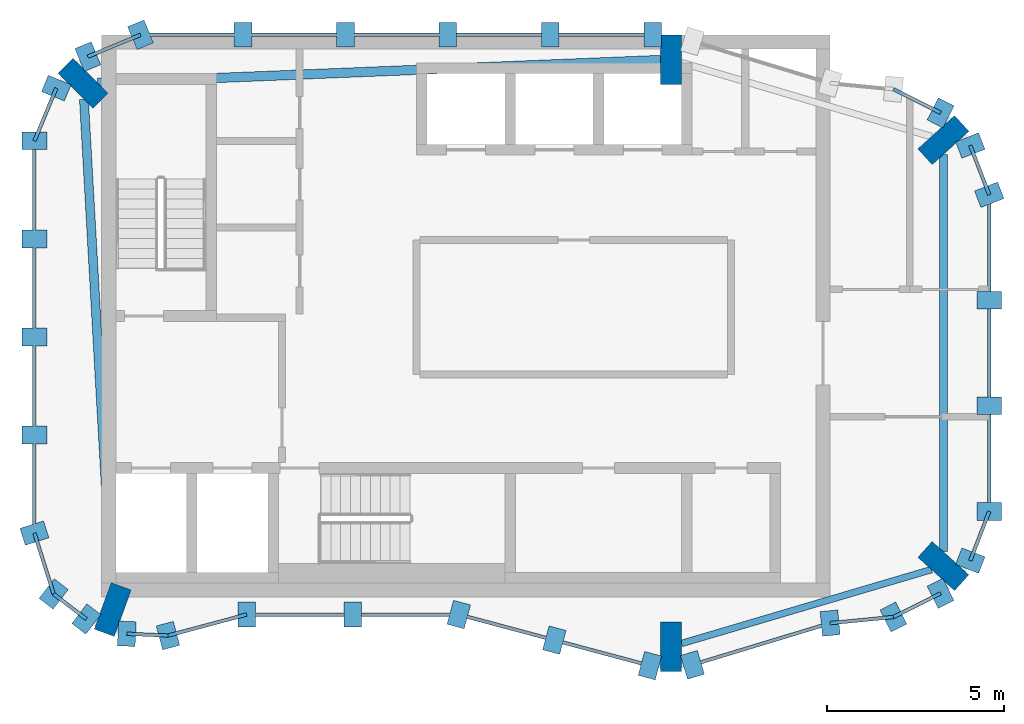
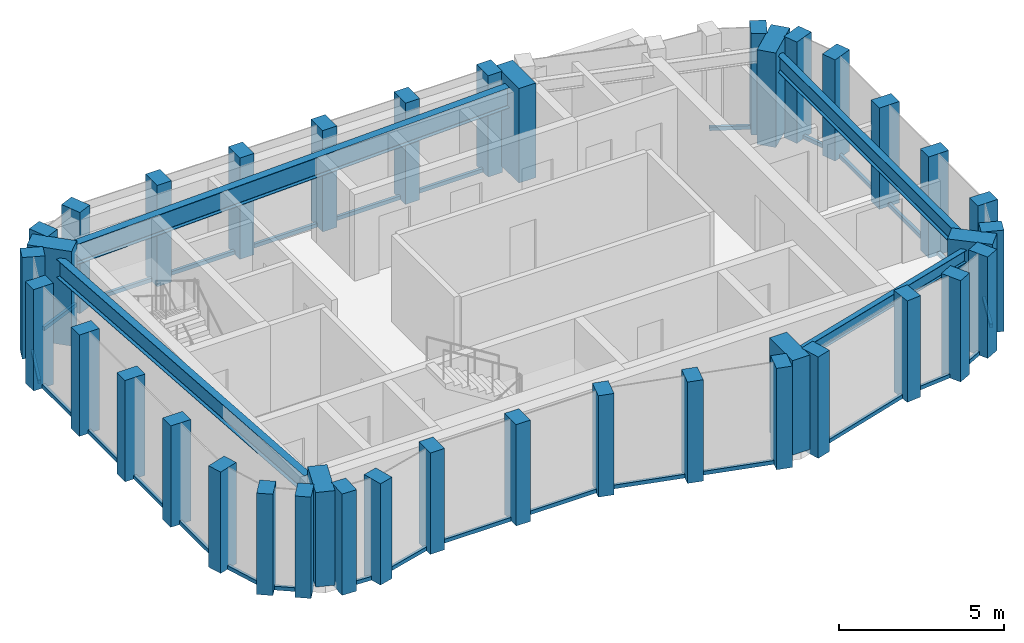
# One storey, part 1 of 5: 50 members, 6 columns, 4 beams, 17 elements without a shape of their own.
"""IFC4 building model written with IfcOpenShell, lengths in metres."""

from ifc_helpers import new_model, si_unit, direction, frame, origin, origin_2d, place, context, subcontext, project, spatial, rectangle, i_section, extrude, material, layer, layer_set, material_profile, profile_set, type_object, element, aggregate, save


model = new_model("IFC4")

# Units and contexts
model_context = context("Model", 3, precision=1e-05, world=origin(), true_north=direction((0.0, 1.0)))
body_context = subcontext(model_context, "Body", "Model", "MODEL_VIEW")
ifc_project = project(units=[si_unit("LENGTHUNIT", "METRE"), si_unit("AREAUNIT", "SQUARE_METRE"), si_unit("VOLUMEUNIT", "CUBIC_METRE"), si_unit("PLANEANGLEUNIT", "RADIAN"), si_unit("MASSUNIT", "GRAM", prefix="KILO")], contexts=[model_context])

# Site, building, storey
site_placement = place(None, origin())
site = spatial("IfcSite", under=ifc_project, at=site_placement, CompositionType="ELEMENT")
building_placement = place(site_placement, origin())
building = spatial("IfcBuilding", under=site, at=building_placement, Name="Plateau Cross Towers", CompositionType="ELEMENT")
storey_placement = place(building_placement, frame((0.0, 0.0, 308.89990234375)))
storey = spatial("IfcBuildingStorey", under=building, at=storey_placement, Name="L82 Crown 3", CompositionType="ELEMENT", Elevation=308.89990234375)

# Columns
ifc_material_1 = material(Name="Concrete C60/75", Category="concrete")
ifc_material_profile_1 = material_profile(ifc_material_1, rectangle(XDim=0.60009765625, YDim=1.39990234375, at=origin_2d()), Name="RC 600x1400")
ifc_profile_set_1 = profile_set([ifc_material_profile_1], Name="Concrete C60/75")
column_type = type_object("IfcColumnType", Name="Fin pier column RC 600x1400", PredefinedType="COLUMN", material=ifc_profile_set_1)
for number, where, z_axis, x_axis, name in (
    (1, (18.0, 0.699951171875, 0.0), (0.0, 0.0, 1.0), (1.0, 0.0, 0.0), "PR1 L82 Crown 3"),
    (2, (25.703125, 2.97705078125, 0.0), (0.0, 0.0, 1.0), (0.672084253376, 0.740474683135, 0.0), "PR19 L82 Crown 3"),
    (3, (25.703125, 15.02294921875, 0.0), (0.0, 0.0, 1.0), (-0.672084253376, 0.740474683135, 0.0), "PR20 L82 Crown 3"),
    (4, (18.0, 17.300048828125, 0.0), (0.0, 0.0, 1.0), (1.0, 0.0, 0.0), "PR13 L82 Crown 3"),
    (5, (1.37353515625, 16.62646484375, 0.0), (0.0, 0.0, 1.0), (0.707106781187, 0.707106781187, 0.0), "PR14 L82 Crown 3"),
    (6, (2.213134765625, 1.748046875, 0.0), (0.0, 0.0, 1.0), (-0.939664280925, 0.342097996418, 0.0), "PR12 L82 Crown 3"),
):
    element("IfcColumn", number, at=place(storey_placement, frame(where, z_axis=z_axis, x_axis=x_axis)), inside=storey, type_object=column_type, Name=name, PredefinedType="COLUMN", context=body_context, shape_type="SweptSolid", body=[
        extrude(rectangle(XDim=0.60009765625, YDim=1.39990234375, at=origin_2d()), origin(), (0.0, 0.0, 1.0), 3.5),
    ])

# Beams
ifc_material_2 = material(Name="Steel S355", Category="steel")
ifc_material_profile_2 = material_profile(ifc_material_2, i_section(OverallWidth=0.18994140625, OverallDepth=0.453369140625, WebThickness=0.008544921875, FlangeThickness=0.0126953125, FilletRadius=0.01025390625, at=origin_2d()), Name="UB 457x191x67")
ifc_profile_set_2 = profile_set([ifc_material_profile_2], Name="Steel S355")
beam_type_1 = type_object("IfcBeamType", Name="Crown ring beam UB 457x191x67", PredefinedType="BEAM", material=ifc_profile_set_2)
beam_1_placement = place(storey_placement, frame((18.300048828125, 0.78857421875, 2.973388671875), z_axis=(0.958969404993, 0.283509577064, 0.0), x_axis=(-0.283509577064, 0.958969404993, 0.0)))
element("IfcBeam", 7, at=beam_1_placement, inside=storey, type_object=beam_type_1, Name="CRB-L82 Crown 3-01", PredefinedType="BEAM", context=body_context, shape_type="SweptSolid", body=[
    extrude(i_section(OverallWidth=0.18994140625, OverallDepth=0.453369140625, WebThickness=0.008544921875, FlangeThickness=0.0126953125, FilletRadius=0.01025390625, at=origin_2d()), origin(), (0.0, 0.0, 1.0), 7.36865234375),
])
ifc_material_profile_3 = material_profile(ifc_material_2, i_section(OverallWidth=0.228271484375, OverallDepth=0.607666015625, WebThickness=0.010986328125, FlangeThickness=0.017333984375, FilletRadius=0.0126953125, at=origin_2d()), Name="UB 610x229x113")
ifc_profile_set_3 = profile_set([ifc_material_profile_3], Name="Steel S355")
beam_type_2 = type_object("IfcBeamType", Name="Crown ring beam UB 610x229x113", PredefinedType="BEAM", material=ifc_profile_set_3)
beam_2_placement = place(storey_placement, frame((25.703125, 3.38232421875, 2.896240234375), z_axis=(0.0, 1.0, 0.0), x_axis=(-1.0, 0.0, 0.0)))
element("IfcBeam", 8, at=beam_2_placement, inside=storey, type_object=beam_type_2, Name="CRB-L82 Crown 3-02", PredefinedType="BEAM", context=body_context, shape_type="SweptSolid", body=[
    extrude(i_section(OverallWidth=0.228271484375, OverallDepth=0.607666015625, WebThickness=0.010986328125, FlangeThickness=0.017333984375, FilletRadius=0.0126953125, at=origin_2d()), origin(), (0.0, 0.0, 1.0), 11.2353515625),
])
ifc_material_profile_4 = material_profile(ifc_material_2, i_section(OverallWidth=0.2529296875, OverallDepth=0.677978515625, WebThickness=0.01171875, FlangeThickness=0.01611328125, FilletRadius=0.01513671875, at=origin_2d()), Name="UB 686x254x125")
ifc_profile_set_4 = profile_set([ifc_material_profile_4], Name="Steel S355")
beam_type_3 = type_object("IfcBeamType", Name="Crown ring beam UB 686x254x125", PredefinedType="BEAM", material=ifc_profile_set_4)
beam_3_placement = place(storey_placement, frame((1.39892578125, 16.1767578125, 2.861083984375), z_axis=(0.056348976318, -0.998411134187, 0.0), x_axis=(0.998411134187, 0.056348976318, 0.0)))
element("IfcBeam", 9, at=beam_3_placement, inside=storey, type_object=beam_type_3, Name="CRB-L82 Crown 3-05", PredefinedType="BEAM", context=body_context, shape_type="SweptSolid", body=[
    extrude(i_section(OverallWidth=0.2529296875, OverallDepth=0.677978515625, WebThickness=0.01171875, FlangeThickness=0.01611328125, FilletRadius=0.01513671875, at=origin_2d()), origin(), (0.0, 0.0, 1.0), 13.691162109375),
])
ifc_material_profile_5 = material_profile(ifc_material_2, i_section(OverallWidth=0.26513671875, OverallDepth=0.75390625, WebThickness=0.0126953125, FlangeThickness=0.017578125, FilletRadius=0.0166015625, at=origin_2d()), Name="UB 762x267x147")
ifc_profile_set_5 = profile_set([ifc_material_profile_5], Name="Steel S355")
beam_type_4 = type_object("IfcBeamType", Name="Crown ring beam UB 762x267x147", PredefinedType="BEAM", material=ifc_profile_set_5)
beam_4_placement = place(storey_placement, frame((17.699951171875, 17.287841796875, 2.822998046875), z_axis=(-0.999180065047, -0.040487005488, 0.0), x_axis=(0.040487005488, -0.999180065047, 0.0)))
element("IfcBeam", 10, at=beam_4_placement, inside=storey, type_object=beam_type_4, Name="CRB-L82 Crown 3-04", PredefinedType="BEAM", context=body_context, shape_type="SweptSolid", body=[
    extrude(i_section(OverallWidth=0.26513671875, OverallDepth=0.75390625, WebThickness=0.0126953125, FlangeThickness=0.017578125, FilletRadius=0.0166015625, at=origin_2d()), origin(), (0.0, 0.0, 1.0), 15.931640625),
])

# Curtain wall, member
ifc_material_3 = material(Name="Dark low-iron glass", Category="glass")
ifc_layer = layer(ifc_material_3, 0.800048828125)
ifc_layer_set = layer_set([ifc_layer], Name="Dark low-iron glass")
curtain_wall_type = type_object("IfcCurtainWallType", Name="Curtain wall sky lounge CW-D", PredefinedType="NOTDEFINED", material=ifc_layer_set)
curtain_wall_1_placement = place(storey_placement, origin())
curtain_wall_1 = element("IfcCurtainWall", 11, at=curtain_wall_1_placement, inside=storey, type_object=curtain_wall_type, Name="ENV/A/L82 Crown 3/A38_10", PredefinedType="NOTDEFINED")
ifc_material_4 = material(Name="Black anodised aluminium", Category="aluminium")
ifc_material_profile_6 = material_profile(ifc_material_4, rectangle(XDim=0.5, YDim=0.699951171875, at=origin_2d()), Name="MULLION 500x700")
ifc_profile_set_6 = profile_set([ifc_material_profile_6], Name="Black anodised aluminium")
member_type_1 = type_object("IfcMemberType", Name="Mullion 500x700 sky lounge", PredefinedType="MULLION", material=ifc_profile_set_6)
member_1_placement = place(storey_placement, frame((3.776123046875, 1.01123046875, -0.25), z_axis=(0.0, 0.0, 1.0), x_axis=(0.965957962328, 0.258699081978, 0.0)))
member_1 = element("IfcMember", 12, at=member_1_placement, type_object=member_type_1, Name="CW-D mullion 1", PredefinedType="MULLION", context=body_context, shape_type="SweptSolid", body=[
    extrude(rectangle(XDim=0.5, YDim=0.699951171875, at=origin_2d()), origin(), (0.0, 0.0, 1.0), 3.75),
])

# Curtain wall, members
curtain_wall_2_placement = place(storey_placement, origin())
curtain_wall_2 = element("IfcCurtainWall", 13, at=curtain_wall_2_placement, inside=storey, type_object=curtain_wall_type, Name="ENV/A/L82 Crown 3/A60_16", PredefinedType="NOTDEFINED")
member_2_placement = place(storey_placement, frame((6.0, 1.60693359375, -0.25), z_axis=(0.0, 0.0, 1.0), x_axis=(1.0, 0.0, 0.0)))
member_2 = element("IfcMember", 14, at=member_2_placement, type_object=member_type_1, Name="CW-D mullion 1", PredefinedType="MULLION", context=body_context, shape_type="SweptSolid", body=[
    extrude(rectangle(XDim=0.5, YDim=0.699951171875, at=origin_2d()), origin(), (0.0, 0.0, 1.0), 3.75),
])
member_3_placement = place(storey_placement, frame((9.0, 1.60693359375, -0.25), z_axis=(0.0, 0.0, 1.0), x_axis=(1.0, 0.0, 0.0)))
member_3 = element("IfcMember", 15, at=member_3_placement, type_object=member_type_1, Name="CW-D mullion 2", PredefinedType="MULLION", context=body_context, shape_type="SweptSolid", body=[
    extrude(rectangle(XDim=0.5, YDim=0.699951171875, at=origin_2d()), origin(), (0.0, 0.0, 1.0), 3.75),
])

curtain_wall_3_placement = place(storey_placement, origin())
curtain_wall_3 = element("IfcCurtainWall", 16, at=curtain_wall_3_placement, inside=storey, type_object=curtain_wall_type, Name="ENV/A/L82 Crown 3/A120_16", PredefinedType="NOTDEFINED")
member_4_placement = place(storey_placement, frame((12.0, 1.60693359375, -0.25), z_axis=(0.0, 0.0, 1.0), x_axis=(0.965957983404, -0.258699003279, 0.0)))
member_4 = element("IfcMember", 17, at=member_4_placement, type_object=member_type_1, Name="CW-D mullion 1", PredefinedType="MULLION", context=body_context, shape_type="SweptSolid", body=[
    extrude(rectangle(XDim=0.5, YDim=0.699951171875, at=origin_2d()), origin(), (0.0, 0.0, 1.0), 3.75),
])
member_5_placement = place(storey_placement, frame((14.70166015625, 0.88330078125, -0.25), z_axis=(0.0, 0.0, 1.0), x_axis=(0.965957983404, -0.258699003279, 0.0)))
member_5 = element("IfcMember", 18, at=member_5_placement, type_object=member_type_1, Name="CW-D mullion 2", PredefinedType="MULLION", context=body_context, shape_type="SweptSolid", body=[
    extrude(rectangle(XDim=0.5, YDim=0.699951171875, at=origin_2d()), origin(), (0.0, 0.0, 1.0), 3.75),
])
member_6_placement = place(storey_placement, frame((17.403076171875, 0.159912109375, -0.25), z_axis=(0.0, 0.0, 1.0), x_axis=(0.965957983404, -0.258699003279, 0.0)))
member_6 = element("IfcMember", 19, at=member_6_placement, type_object=member_type_1, Name="CW-D mullion 3", PredefinedType="MULLION", context=body_context, shape_type="SweptSolid", body=[
    extrude(rectangle(XDim=0.5, YDim=0.699951171875, at=origin_2d()), origin(), (0.0, 0.0, 1.0), 3.75),
])

# Curtain wall, member
curtain_wall_4_placement = place(storey_placement, origin())
curtain_wall_4 = element("IfcCurtainWall", 20, at=curtain_wall_4_placement, inside=storey, type_object=curtain_wall_type, Name="ENV/A/L82 Crown 3/A186_2", PredefinedType="NOTDEFINED")
member_7_placement = place(storey_placement, frame((18.60546875, 0.183349609375, -0.25), z_axis=(0.0, 0.0, 1.0), x_axis=(0.957048328724, 0.289928433386, 0.0)))
member_7 = element("IfcMember", 21, at=member_7_placement, type_object=member_type_1, Name="CW-D mullion 1", PredefinedType="MULLION", context=body_context, shape_type="SweptSolid", body=[
    extrude(rectangle(XDim=0.5, YDim=0.699951171875, at=origin_2d()), origin(), (0.0, 0.0, 1.0), 3.75),
])

curtain_wall_5_placement = place(storey_placement, origin())
curtain_wall_5 = element("IfcCurtainWall", 22, at=curtain_wall_5_placement, inside=storey, type_object=curtain_wall_type, Name="ENV/A/L82 Crown 3/A225_14", PredefinedType="NOTDEFINED")
member_8_placement = place(storey_placement, frame((22.5, 1.36328125, -0.25), z_axis=(0.0, 0.0, 1.0), x_axis=(0.995322680406, 0.096606220658, 0.0)))
member_8 = element("IfcMember", 23, at=member_8_placement, type_object=member_type_1, Name="CW-D mullion 1", PredefinedType="MULLION", context=body_context, shape_type="SweptSolid", body=[
    extrude(rectangle(XDim=0.5, YDim=0.699951171875, at=origin_2d()), origin(), (0.0, 0.0, 1.0), 3.75),
])

# Curtain wall, members
curtain_wall_6_placement = place(storey_placement, origin())
curtain_wall_6 = element("IfcCurtainWall", 24, at=curtain_wall_6_placement, inside=storey, type_object=curtain_wall_type, Name="ENV/A/L82 Crown 3/A243_15", PredefinedType="NOTDEFINED")
member_9_placement = place(storey_placement, frame((24.289794921875, 1.536865234375, -0.25), z_axis=(0.0, 0.0, 1.0), x_axis=(0.893702121293, 0.448660805505, 0.0)))
member_9 = element("IfcMember", 25, at=member_9_placement, type_object=member_type_1, Name="CW-D mullion 1", PredefinedType="MULLION", context=body_context, shape_type="SweptSolid", body=[
    extrude(rectangle(XDim=0.5, YDim=0.699951171875, at=origin_2d()), origin(), (0.0, 0.0, 1.0), 3.75),
])
member_10_placement = place(storey_placement, frame((25.623779296875, 2.20654296875, -0.25), z_axis=(0.0, 0.0, 1.0), x_axis=(0.893702121293, 0.448660805505, 0.0)))
member_10 = element("IfcMember", 26, at=member_10_placement, type_object=member_type_1, Name="CW-D mullion 2", PredefinedType="MULLION", context=body_context, shape_type="SweptSolid", body=[
    extrude(rectangle(XDim=0.5, YDim=0.699951171875, at=origin_2d()), origin(), (0.0, 0.0, 1.0), 3.75),
])

# Curtain wall, member
curtain_wall_7_placement = place(storey_placement, origin())
curtain_wall_7 = element("IfcCurtainWall", 27, at=curtain_wall_7_placement, inside=storey, type_object=curtain_wall_type, Name="ENV/A/L82 Crown 3/A265_31", PredefinedType="NOTDEFINED")
member_11_placement = place(storey_placement, frame((26.46240234375, 3.130615234375, -0.25), z_axis=(0.0, 0.0, 1.0), x_axis=(0.360225826244, 0.932865131789, 0.0)))
member_11 = element("IfcMember", 28, at=member_11_placement, type_object=member_type_1, Name="CW-D mullion 1", PredefinedType="MULLION", context=body_context, shape_type="SweptSolid", body=[
    extrude(rectangle(XDim=0.5, YDim=0.699951171875, at=origin_2d()), origin(), (0.0, 0.0, 1.0), 3.75),
])

# Curtain wall, members
curtain_wall_8_placement = place(storey_placement, origin())
curtain_wall_8 = element("IfcCurtainWall", 29, at=curtain_wall_8_placement, inside=storey, type_object=curtain_wall_type, Name="ENV/A/L82 Crown 3/A270_45", PredefinedType="NOTDEFINED")
member_12_placement = place(storey_placement, frame((27.0, 4.52294921875, -0.25), z_axis=(0.0, 0.0, 1.0), x_axis=(0.0, 1.0, 0.0)))
member_12 = element("IfcMember", 30, at=member_12_placement, type_object=member_type_1, Name="CW-D mullion 1", PredefinedType="MULLION", context=body_context, shape_type="SweptSolid", body=[
    extrude(rectangle(XDim=0.5, YDim=0.699951171875, at=origin_2d()), origin(), (0.0, 0.0, 1.0), 3.75),
])
member_13_placement = place(storey_placement, frame((27.0, 7.507568359375, -0.25), z_axis=(0.0, 0.0, 1.0), x_axis=(0.0, 1.0, 0.0)))
member_13 = element("IfcMember", 31, at=member_13_placement, type_object=member_type_1, Name="CW-D mullion 2", PredefinedType="MULLION", context=body_context, shape_type="SweptSolid", body=[
    extrude(rectangle(XDim=0.5, YDim=0.699951171875, at=origin_2d()), origin(), (0.0, 0.0, 1.0), 3.75),
])
member_14_placement = place(storey_placement, frame((27.0, 10.492431640625, -0.25), z_axis=(0.0, 0.0, 1.0), x_axis=(0.0, 1.0, 0.0)))
member_14 = element("IfcMember", 32, at=member_14_placement, type_object=member_type_1, Name="CW-D mullion 3", PredefinedType="MULLION", context=body_context, shape_type="SweptSolid", body=[
    extrude(rectangle(XDim=0.5, YDim=0.699951171875, at=origin_2d()), origin(), (0.0, 0.0, 1.0), 3.75),
])

curtain_wall_9_placement = place(storey_placement, origin())
curtain_wall_9 = element("IfcCurtainWall", 33, at=curtain_wall_9_placement, inside=storey, type_object=curtain_wall_type, Name="ENV/A/L82 Crown 3/A270_135", PredefinedType="NOTDEFINED")
member_15_placement = place(storey_placement, frame((27.0, 13.47705078125, -0.25), z_axis=(0.0, 0.0, 1.0), x_axis=(-0.360225826244, 0.932865131789, 0.0)))
member_15 = element("IfcMember", 34, at=member_15_placement, type_object=member_type_1, Name="CW-D mullion 1", PredefinedType="MULLION", context=body_context, shape_type="SweptSolid", body=[
    extrude(rectangle(XDim=0.5, YDim=0.699951171875, at=origin_2d()), origin(), (0.0, 0.0, 1.0), 3.75),
])
member_16_placement = place(storey_placement, frame((26.46240234375, 14.869384765625, -0.25), z_axis=(0.0, 0.0, 1.0), x_axis=(-0.360225826244, 0.932865131789, 0.0)))
member_16 = element("IfcMember", 35, at=member_16_placement, type_object=member_type_1, Name="CW-D mullion 2", PredefinedType="MULLION", context=body_context, shape_type="SweptSolid", body=[
    extrude(rectangle(XDim=0.5, YDim=0.699951171875, at=origin_2d()), origin(), (0.0, 0.0, 1.0), 3.75),
])

# Curtain wall, member
curtain_wall_10_placement = place(storey_placement, origin())
curtain_wall_10 = element("IfcCurtainWall", 36, at=curtain_wall_10_placement, inside=storey, type_object=curtain_wall_type, Name="ENV/A/L82 Crown 3/A256_158", PredefinedType="NOTDEFINED")
member_17_placement = place(storey_placement, frame((25.623779296875, 15.79345703125, -0.25), z_axis=(0.0, 0.0, 1.0), x_axis=(-0.893702121293, 0.448660805505, 0.0)))
member_17 = element("IfcMember", 37, at=member_17_placement, type_object=member_type_1, Name="CW-D mullion 1", PredefinedType="MULLION", context=body_context, shape_type="SweptSolid", body=[
    extrude(rectangle(XDim=0.5, YDim=0.699951171875, at=origin_2d()), origin(), (0.0, 0.0, 1.0), 3.75),
])

# Curtain wall, members
curtain_wall_11_placement = place(storey_placement, origin())
curtain_wall_11 = element("IfcCurtainWall", 38, at=curtain_wall_11_placement, inside=storey, type_object=curtain_wall_type, Name="ENV/A/L82 Crown 3/A175_180", PredefinedType="NOTDEFINED")
member_18_placement = place(storey_placement, frame((17.485107421875, 18.0, -0.25), z_axis=(0.0, 0.0, 1.0), x_axis=(-1.0, 0.0, 0.0)))
member_18 = element("IfcMember", 39, at=member_18_placement, type_object=member_type_1, Name="CW-D mullion 1", PredefinedType="MULLION", context=body_context, shape_type="SweptSolid", body=[
    extrude(rectangle(XDim=0.5, YDim=0.699951171875, at=origin_2d()), origin(), (0.0, 0.0, 1.0), 3.75),
])
member_19_placement = place(storey_placement, frame((14.587890625, 18.0, -0.25), z_axis=(0.0, 0.0, 1.0), x_axis=(-1.0, 0.0, 0.0)))
member_19 = element("IfcMember", 40, at=member_19_placement, type_object=member_type_1, Name="CW-D mullion 2", PredefinedType="MULLION", context=body_context, shape_type="SweptSolid", body=[
    extrude(rectangle(XDim=0.5, YDim=0.699951171875, at=origin_2d()), origin(), (0.0, 0.0, 1.0), 3.75),
])
member_20_placement = place(storey_placement, frame((11.69091796875, 18.0, -0.25), z_axis=(0.0, 0.0, 1.0), x_axis=(-1.0, 0.0, 0.0)))
member_20 = element("IfcMember", 41, at=member_20_placement, type_object=member_type_1, Name="CW-D mullion 3", PredefinedType="MULLION", context=body_context, shape_type="SweptSolid", body=[
    extrude(rectangle(XDim=0.5, YDim=0.699951171875, at=origin_2d()), origin(), (0.0, 0.0, 1.0), 3.75),
])
member_21_placement = place(storey_placement, frame((8.7939453125, 18.0, -0.25), z_axis=(0.0, 0.0, 1.0), x_axis=(-1.0, 0.0, 0.0)))
member_21 = element("IfcMember", 42, at=member_21_placement, type_object=member_type_1, Name="CW-D mullion 4", PredefinedType="MULLION", context=body_context, shape_type="SweptSolid", body=[
    extrude(rectangle(XDim=0.5, YDim=0.699951171875, at=origin_2d()), origin(), (0.0, 0.0, 1.0), 3.75),
])
member_22_placement = place(storey_placement, frame((5.89697265625, 18.0, -0.25), z_axis=(0.0, 0.0, 1.0), x_axis=(-1.0, 0.0, 0.0)))
member_22 = element("IfcMember", 43, at=member_22_placement, type_object=member_type_1, Name="CW-D mullion 5", PredefinedType="MULLION", context=body_context, shape_type="SweptSolid", body=[
    extrude(rectangle(XDim=0.5, YDim=0.699951171875, at=origin_2d()), origin(), (0.0, 0.0, 1.0), 3.75),
])

curtain_wall_12_placement = place(storey_placement, origin())
curtain_wall_12 = element("IfcCurtainWall", 44, at=curtain_wall_12_placement, inside=storey, type_object=curtain_wall_type, Name="ENV/A/L82 Crown 3/A30_180", PredefinedType="NOTDEFINED")
member_23_placement = place(storey_placement, frame((3.0, 18.0, -0.25), z_axis=(0.0, 0.0, 1.0), x_axis=(-0.923879457699, -0.382683612978, 0.0)))
member_23 = element("IfcMember", 45, at=member_23_placement, type_object=member_type_1, Name="CW-D mullion 1", PredefinedType="MULLION", context=body_context, shape_type="SweptSolid", body=[
    extrude(rectangle(XDim=0.5, YDim=0.699951171875, at=origin_2d()), origin(), (0.0, 0.0, 1.0), 3.75),
])
member_24_placement = place(storey_placement, frame((1.50830078125, 17.382080078125, -0.25), z_axis=(0.0, 0.0, 1.0), x_axis=(-0.923879457699, -0.382683612978, 0.0)))
member_24 = element("IfcMember", 46, at=member_24_placement, type_object=member_type_1, Name="CW-D mullion 2", PredefinedType="MULLION", context=body_context, shape_type="SweptSolid", body=[
    extrude(rectangle(XDim=0.5, YDim=0.699951171875, at=origin_2d()), origin(), (0.0, 0.0, 1.0), 3.75),
])

# Curtain wall, member
curtain_wall_13_placement = place(storey_placement, origin())
curtain_wall_13 = element("IfcCurtainWall", 47, at=curtain_wall_13_placement, inside=storey, type_object=curtain_wall_type, Name="ENV/A/L82 Crown 3/A6_165", PredefinedType="NOTDEFINED")
member_25_placement = place(storey_placement, frame((0.617919921875, 16.49169921875, -0.25), z_axis=(0.0, 0.0, 1.0), x_axis=(-0.382683612978, -0.923879457699, 0.0)))
member_25 = element("IfcMember", 48, at=member_25_placement, type_object=member_type_1, Name="CW-D mullion 1", PredefinedType="MULLION", context=body_context, shape_type="SweptSolid", body=[
    extrude(rectangle(XDim=0.5, YDim=0.699951171875, at=origin_2d()), origin(), (0.0, 0.0, 1.0), 3.75),
])

# Curtain wall, members
curtain_wall_14_placement = place(storey_placement, origin())
curtain_wall_14 = element("IfcCurtainWall", 49, at=curtain_wall_14_placement, inside=storey, type_object=curtain_wall_type, Name="ENV/A/L82 Crown 3/A0_150", PredefinedType="NOTDEFINED")
member_26_placement = place(storey_placement, frame((0.0, 15.0, -0.25), z_axis=(0.0, 0.0, 1.0), x_axis=(0.0, -1.0, 0.0)))
member_26 = element("IfcMember", 50, at=member_26_placement, type_object=member_type_1, Name="CW-D mullion 1", PredefinedType="MULLION", context=body_context, shape_type="SweptSolid", body=[
    extrude(rectangle(XDim=0.5, YDim=0.699951171875, at=origin_2d()), origin(), (0.0, 0.0, 1.0), 3.75),
])
member_27_placement = place(storey_placement, frame((0.0, 12.227294921875, -0.25), z_axis=(0.0, 0.0, 1.0), x_axis=(0.0, -1.0, 0.0)))
member_27 = element("IfcMember", 51, at=member_27_placement, type_object=member_type_1, Name="CW-D mullion 2", PredefinedType="MULLION", context=body_context, shape_type="SweptSolid", body=[
    extrude(rectangle(XDim=0.5, YDim=0.699951171875, at=origin_2d()), origin(), (0.0, 0.0, 1.0), 3.75),
])
member_28_placement = place(storey_placement, frame((0.0, 9.45458984375, -0.25), z_axis=(0.0, 0.0, 1.0), x_axis=(0.0, -1.0, 0.0)))
member_28 = element("IfcMember", 52, at=member_28_placement, type_object=member_type_1, Name="CW-D mullion 3", PredefinedType="MULLION", context=body_context, shape_type="SweptSolid", body=[
    extrude(rectangle(XDim=0.5, YDim=0.699951171875, at=origin_2d()), origin(), (0.0, 0.0, 1.0), 3.75),
])
member_29_placement = place(storey_placement, frame((0.0, 6.681884765625, -0.25), z_axis=(0.0, 0.0, 1.0), x_axis=(0.0, -1.0, 0.0)))
member_29 = element("IfcMember", 53, at=member_29_placement, type_object=member_type_1, Name="CW-D mullion 4", PredefinedType="MULLION", context=body_context, shape_type="SweptSolid", body=[
    extrude(rectangle(XDim=0.5, YDim=0.699951171875, at=origin_2d()), origin(), (0.0, 0.0, 1.0), 3.75),
])

# Curtain wall, member
curtain_wall_15_placement = place(storey_placement, origin())
curtain_wall_15 = element("IfcCurtainWall", 54, at=curtain_wall_15_placement, inside=storey, type_object=curtain_wall_type, Name="ENV/A/L82 Crown 3/A0_39", PredefinedType="NOTDEFINED")
member_30_placement = place(storey_placement, frame((0.0, 3.9091796875, -0.25), z_axis=(0.0, 0.0, 1.0), x_axis=(0.300686174994, -0.95372313811, 0.0)))
member_30 = element("IfcMember", 55, at=member_30_placement, type_object=member_type_1, Name="CW-D mullion 1", PredefinedType="MULLION", context=body_context, shape_type="SweptSolid", body=[
    extrude(rectangle(XDim=0.5, YDim=0.699951171875, at=origin_2d()), origin(), (0.0, 0.0, 1.0), 3.75),
])

# Curtain wall, members
curtain_wall_16_placement = place(storey_placement, origin())
curtain_wall_16 = element("IfcCurtainWall", 56, at=curtain_wall_16_placement, inside=storey, type_object=curtain_wall_type, Name="ENV/A/L82 Crown 3/A5_22", PredefinedType="NOTDEFINED")
member_31_placement = place(storey_placement, frame((0.54248046875, 2.1884765625, -0.25), z_axis=(0.0, 0.0, 1.0), x_axis=(0.793315514529, -0.608810721331, 0.0)))
member_31 = element("IfcMember", 57, at=member_31_placement, type_object=member_type_1, Name="CW-D mullion 1", PredefinedType="MULLION", context=body_context, shape_type="SweptSolid", body=[
    extrude(rectangle(XDim=0.5, YDim=0.699951171875, at=origin_2d()), origin(), (0.0, 0.0, 1.0), 3.75),
])
member_32_placement = place(storey_placement, frame((1.467529296875, 1.478515625, -0.25), z_axis=(0.0, 0.0, 1.0), x_axis=(0.793315514529, -0.608810721331, 0.0)))
member_32 = element("IfcMember", 58, at=member_32_placement, type_object=member_type_1, Name="CW-D mullion 2", PredefinedType="MULLION", context=body_context, shape_type="SweptSolid", body=[
    extrude(rectangle(XDim=0.5, YDim=0.699951171875, at=origin_2d()), origin(), (0.0, 0.0, 1.0), 3.75),
])

# Curtain wall, member
curtain_wall_17_placement = place(storey_placement, origin())
curtain_wall_17 = element("IfcCurtainWall", 59, at=curtain_wall_17_placement, inside=storey, type_object=curtain_wall_type, Name="ENV/A/L82 Crown 3/A26_11", PredefinedType="NOTDEFINED")
member_33_placement = place(storey_placement, frame((2.611083984375, 1.062255859375, -0.25), z_axis=(0.0, 0.0, 1.0), x_axis=(0.999043701491, -0.043722791671, 0.0)))
member_33 = element("IfcMember", 60, at=member_33_placement, type_object=member_type_1, Name="CW-D mullion 1", PredefinedType="MULLION", context=body_context, shape_type="SweptSolid", body=[
    extrude(rectangle(XDim=0.5, YDim=0.699951171875, at=origin_2d()), origin(), (0.0, 0.0, 1.0), 3.75),
])

# Member
ifc_material_profile_7 = material_profile(ifc_material_4, rectangle(XDim=0.10009765625, YDim=0.139892578125, at=origin_2d()), Name="TRANSOM 100x140")
ifc_profile_set_7 = profile_set([ifc_material_profile_7], Name="Black anodised aluminium")
member_type_2 = type_object("IfcMemberType", Name="Transom 100x140 sky lounge", PredefinedType="USERDEFINED", material=ifc_profile_set_7)
member_34_placement = place(storey_placement, frame((3.776123046875, 1.01123046875, -0.179931640625), z_axis=(0.965945685136, 0.258744919501, 0.0), x_axis=(-0.258744919501, 0.965945685136, 0.0)))
member_34 = element("IfcMember", 61, at=member_34_placement, type_object=member_type_2, Name="CW-D transom", ObjectType="TRANSOM", PredefinedType="USERDEFINED", context=body_context, shape_type="SweptSolid", body=[
    extrude(rectangle(XDim=0.10009765625, YDim=0.139892578125, at=origin_2d()), origin(), (0.0, 0.0, 1.0), 2.30224609375),
])

aggregate(curtain_wall_1, [member_1, member_34])

member_35_placement = place(storey_placement, frame((6.0, 1.60693359375, -0.179931640625), z_axis=(1.0, 0.0, 0.0), x_axis=(0.0, 1.0, 0.0)))
member_35 = element("IfcMember", 62, at=member_35_placement, type_object=member_type_2, Name="CW-D transom", ObjectType="TRANSOM", PredefinedType="USERDEFINED", context=body_context, shape_type="SweptSolid", body=[
    extrude(rectangle(XDim=0.10009765625, YDim=0.139892578125, at=origin_2d()), origin(), (0.0, 0.0, 1.0), 6.0),
])

aggregate(curtain_wall_2, [member_2, member_3, member_35])

member_36_placement = place(storey_placement, frame((12.0, 1.60693359375, -0.179931640625), z_axis=(0.965958374924, -0.258697541375, 0.0), x_axis=(0.258697541375, 0.965958374924, 0.0)))
member_36 = element("IfcMember", 63, at=member_36_placement, type_object=member_type_2, Name="CW-D transom", ObjectType="TRANSOM", PredefinedType="USERDEFINED", context=body_context, shape_type="SweptSolid", body=[
    extrude(rectangle(XDim=0.10009765625, YDim=0.139892578125, at=origin_2d()), origin(), (0.0, 0.0, 1.0), 5.593505859375),
])

aggregate(curtain_wall_3, [member_4, member_5, member_6, member_36])

member_37_placement = place(storey_placement, frame((18.60546875, 0.183349609375, -0.179931640625), z_axis=(0.957040045132, 0.289955775961, 0.0), x_axis=(-0.289955775961, 0.957040045132, 0.0)))
member_37 = element("IfcMember", 64, at=member_37_placement, type_object=member_type_2, Name="CW-D transom", ObjectType="TRANSOM", PredefinedType="USERDEFINED", context=body_context, shape_type="SweptSolid", body=[
    extrude(rectangle(XDim=0.10009765625, YDim=0.139892578125, at=origin_2d()), origin(), (0.0, 0.0, 1.0), 4.0693359375),
])

aggregate(curtain_wall_4, [member_7, member_37])

member_38_placement = place(storey_placement, frame((22.5, 1.36328125, -0.179931640625), z_axis=(0.995329836219, 0.096532466724, 0.0), x_axis=(-0.096532466724, 0.995329836219, 0.0)))
member_38 = element("IfcMember", 65, at=member_38_placement, type_object=member_type_2, Name="CW-D transom", ObjectType="TRANSOM", PredefinedType="USERDEFINED", context=body_context, shape_type="SweptSolid", body=[
    extrude(rectangle(XDim=0.10009765625, YDim=0.139892578125, at=origin_2d()), origin(), (0.0, 0.0, 1.0), 1.798095703125),
])

aggregate(curtain_wall_5, [member_8, member_38])

member_39_placement = place(storey_placement, frame((24.289794921875, 1.536865234375, -0.179931640625), z_axis=(0.893706357175, 0.448652367813, 0.0), x_axis=(-0.448652367813, 0.893706357175, 0.0)))
member_39 = element("IfcMember", 66, at=member_39_placement, type_object=member_type_2, Name="CW-D transom", ObjectType="TRANSOM", PredefinedType="USERDEFINED", context=body_context, shape_type="SweptSolid", body=[
    extrude(rectangle(XDim=0.10009765625, YDim=0.139892578125, at=origin_2d()), origin(), (0.0, 0.0, 1.0), 1.49267578125),
])

aggregate(curtain_wall_6, [member_9, member_10, member_39])

member_40_placement = place(storey_placement, frame((26.46240234375, 3.130615234375, -0.179931640625), z_axis=(0.360195479998, 0.932876849423, 0.0), x_axis=(-0.932876849423, 0.360195479998, 0.0)))
member_40 = element("IfcMember", 67, at=member_40_placement, type_object=member_type_2, Name="CW-D transom", ObjectType="TRANSOM", PredefinedType="USERDEFINED", context=body_context, shape_type="SweptSolid", body=[
    extrude(rectangle(XDim=0.10009765625, YDim=0.139892578125, at=origin_2d()), origin(), (0.0, 0.0, 1.0), 1.492431640625),
])

aggregate(curtain_wall_7, [member_11, member_40])

member_41_placement = place(storey_placement, frame((27.0, 4.52294921875, -0.179931640625), z_axis=(0.0, 1.0, 0.0), x_axis=(-1.0, 0.0, 0.0)))
member_41 = element("IfcMember", 68, at=member_41_placement, type_object=member_type_2, Name="CW-D transom", ObjectType="TRANSOM", PredefinedType="USERDEFINED", context=body_context, shape_type="SweptSolid", body=[
    extrude(rectangle(XDim=0.10009765625, YDim=0.139892578125, at=origin_2d()), origin(), (0.0, 0.0, 1.0), 8.9541015625),
])

aggregate(curtain_wall_8, [member_12, member_13, member_14, member_41])

member_42_placement = place(storey_placement, frame((27.0, 13.47705078125, -0.179931640625), z_axis=(-0.360195479998, 0.932876849423, 0.0), x_axis=(-0.932876849423, -0.360195479998, 0.0)))
member_42 = element("IfcMember", 69, at=member_42_placement, type_object=member_type_2, Name="CW-D transom", ObjectType="TRANSOM", PredefinedType="USERDEFINED", context=body_context, shape_type="SweptSolid", body=[
    extrude(rectangle(XDim=0.10009765625, YDim=0.139892578125, at=origin_2d()), origin(), (0.0, 0.0, 1.0), 1.492431640625),
])

aggregate(curtain_wall_9, [member_15, member_16, member_42])

member_43_placement = place(storey_placement, frame((25.623779296875, 15.79345703125, -0.179931640625), z_axis=(-0.893706357175, 0.448652367813, 0.0), x_axis=(-0.448652367813, -0.893706357175, 0.0)))
member_43 = element("IfcMember", 70, at=member_43_placement, type_object=member_type_2, Name="CW-D transom", ObjectType="TRANSOM", PredefinedType="USERDEFINED", context=body_context, shape_type="SweptSolid", body=[
    extrude(rectangle(XDim=0.10009765625, YDim=0.139892578125, at=origin_2d()), origin(), (0.0, 0.0, 1.0), 1.49267578125),
])

aggregate(curtain_wall_10, [member_17, member_43])

member_44_placement = place(storey_placement, frame((17.485107421875, 18.0, -0.179931640625), z_axis=(-1.0, 0.0, 0.0), x_axis=(0.0, -1.0, 0.0)))
member_44 = element("IfcMember", 71, at=member_44_placement, type_object=member_type_2, Name="CW-D transom", ObjectType="TRANSOM", PredefinedType="USERDEFINED", context=body_context, shape_type="SweptSolid", body=[
    extrude(rectangle(XDim=0.10009765625, YDim=0.139892578125, at=origin_2d()), origin(), (0.0, 0.0, 1.0), 14.485107421875),
])

aggregate(curtain_wall_11, [member_18, member_19, member_20, member_21, member_22, member_44])

member_45_placement = place(storey_placement, frame((3.0, 18.0, -0.179931640625), z_axis=(-0.923871238907, -0.382703454284, 0.0), x_axis=(0.382703454284, -0.923871238907, 0.0)))
member_45 = element("IfcMember", 72, at=member_45_placement, type_object=member_type_2, Name="CW-D transom", ObjectType="TRANSOM", PredefinedType="USERDEFINED", context=body_context, shape_type="SweptSolid", body=[
    extrude(rectangle(XDim=0.10009765625, YDim=0.139892578125, at=origin_2d()), origin(), (0.0, 0.0, 1.0), 1.614501953125),
])

aggregate(curtain_wall_12, [member_23, member_24, member_45])

member_46_placement = place(storey_placement, frame((0.617919921875, 16.49169921875, -0.179931640625), z_axis=(-0.382703454284, -0.923871238907, 0.0), x_axis=(0.923871238907, -0.382703454284, 0.0)))
member_46 = element("IfcMember", 73, at=member_46_placement, type_object=member_type_2, Name="CW-D transom", ObjectType="TRANSOM", PredefinedType="USERDEFINED", context=body_context, shape_type="SweptSolid", body=[
    extrude(rectangle(XDim=0.10009765625, YDim=0.139892578125, at=origin_2d()), origin(), (0.0, 0.0, 1.0), 1.614501953125),
])

aggregate(curtain_wall_13, [member_25, member_46])

member_47_placement = place(storey_placement, frame((0.0, 15.0, -0.179931640625), z_axis=(0.0, -1.0, 0.0), x_axis=(1.0, 0.0, 0.0)))
member_47 = element("IfcMember", 74, at=member_47_placement, type_object=member_type_2, Name="CW-D transom", ObjectType="TRANSOM", PredefinedType="USERDEFINED", context=body_context, shape_type="SweptSolid", body=[
    extrude(rectangle(XDim=0.10009765625, YDim=0.139892578125, at=origin_2d()), origin(), (0.0, 0.0, 1.0), 11.0908203125),
])

aggregate(curtain_wall_14, [member_26, member_27, member_28, member_29, member_47])

member_48_placement = place(storey_placement, frame((0.0, 3.9091796875, -0.179931640625), z_axis=(0.30067799945, -0.953725715626, 0.0), x_axis=(0.953725715626, 0.30067799945, 0.0)))
member_48 = element("IfcMember", 75, at=member_48_placement, type_object=member_type_2, Name="CW-D transom", ObjectType="TRANSOM", PredefinedType="USERDEFINED", context=body_context, shape_type="SweptSolid", body=[
    extrude(rectangle(XDim=0.10009765625, YDim=0.139892578125, at=origin_2d()), origin(), (0.0, 0.0, 1.0), 1.80419921875),
])

aggregate(curtain_wall_15, [member_30, member_48])

member_49_placement = place(storey_placement, frame((0.54248046875, 2.1884765625, -0.179931640625), z_axis=(0.793292864311, -0.608840234736, 0.0), x_axis=(0.608840234736, 0.793292864311, 0.0)))
member_49 = element("IfcMember", 76, at=member_49_placement, type_object=member_type_2, Name="CW-D transom", ObjectType="TRANSOM", PredefinedType="USERDEFINED", context=body_context, shape_type="SweptSolid", body=[
    extrude(rectangle(XDim=0.10009765625, YDim=0.139892578125, at=origin_2d()), origin(), (0.0, 0.0, 1.0), 1.166015625),
])

aggregate(curtain_wall_16, [member_31, member_32, member_49])

member_50_placement = place(storey_placement, frame((2.611083984375, 1.062255859375, -0.179931640625), z_axis=(0.999042282418, -0.043755204741, 0.0), x_axis=(0.043755204741, 0.999042282418, 0.0)))
member_50 = element("IfcMember", 77, at=member_50_placement, type_object=member_type_2, Name="CW-D transom", ObjectType="TRANSOM", PredefinedType="USERDEFINED", context=body_context, shape_type="SweptSolid", body=[
    extrude(rectangle(XDim=0.10009765625, YDim=0.139892578125, at=origin_2d()), origin(), (0.0, 0.0, 1.0), 1.166259765625),
])

aggregate(curtain_wall_17, [member_33, member_50])

save(model, "model.ifc")
